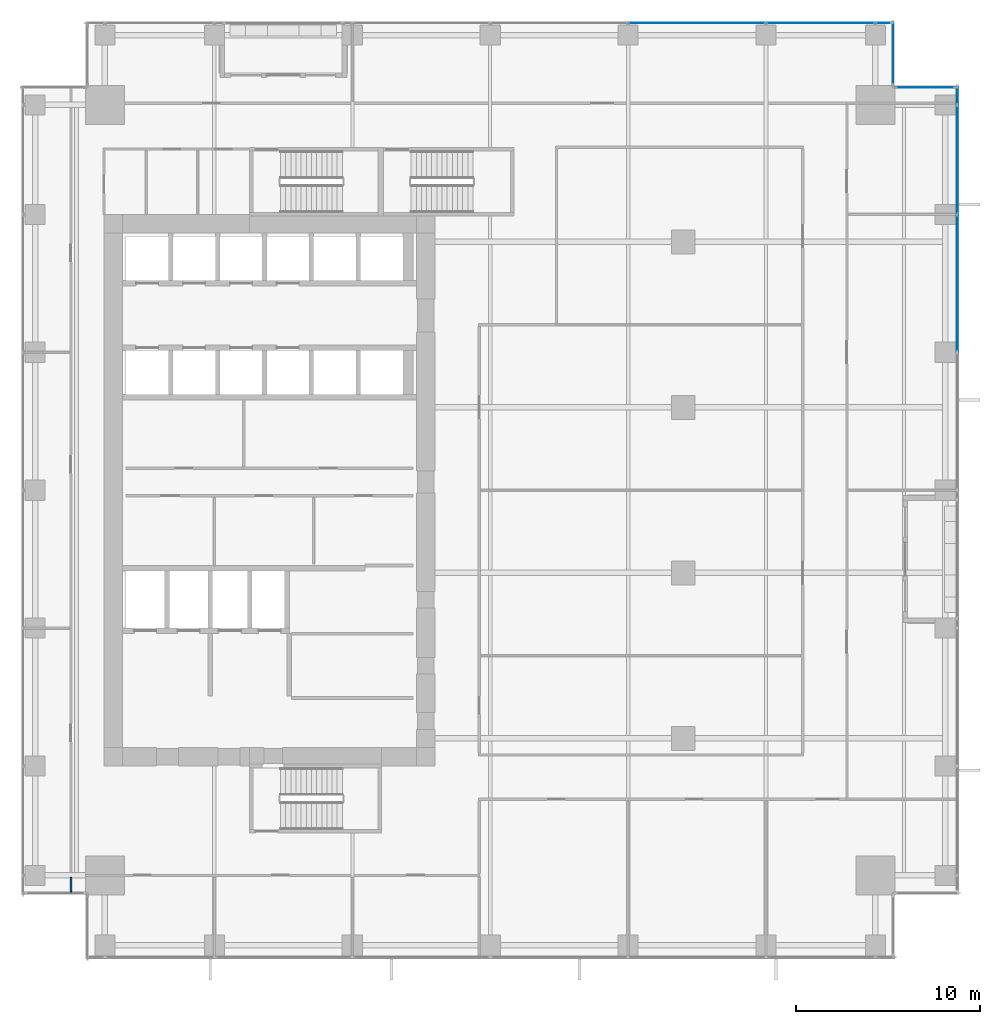
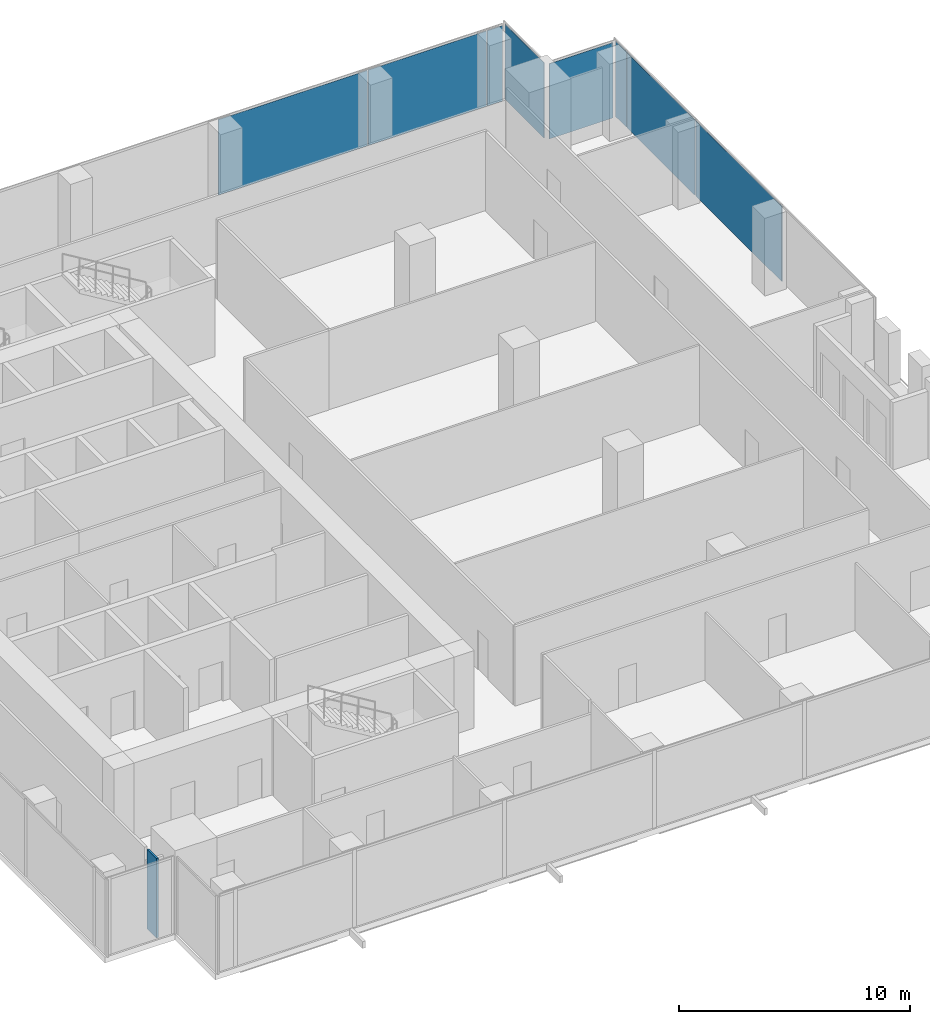
# One storey, part 27 of 34: 8 plates, 1 wall, 4 elements without a shape of their own.
"""IFC4 building model written with IfcOpenShell, lengths in metres."""

from ifc_helpers import new_model, si_unit, direction, frame, frame_2d, origin, origin_2d, place, context, subcontext, project, spatial, rectangle, extrude, source, transform, mapped, material, layer, layer_set, type_object, element, aggregate, save


model = new_model("IFC4")

# Units and contexts
model_context = context("Model", 3, precision=1e-05, world=origin(), true_north=direction((0.0, 1.0)))
body_context = subcontext(model_context, "Body", "Model", "MODEL_VIEW")
ifc_project = project(units=[si_unit("LENGTHUNIT", "METRE"), si_unit("AREAUNIT", "SQUARE_METRE"), si_unit("VOLUMEUNIT", "CUBIC_METRE"), si_unit("PLANEANGLEUNIT", "RADIAN"), si_unit("MASSUNIT", "GRAM", prefix="KILO")], contexts=[model_context])

# Site, building, storey
site_placement = place(None, origin())
site = spatial("IfcSite", under=ifc_project, at=site_placement, CompositionType="ELEMENT")
building_placement = place(site_placement, origin())
building = spatial("IfcBuilding", under=site, at=building_placement, Name="Khomas Fold Tower", CompositionType="ELEMENT")
storey_placement = place(building_placement, frame((0.0, 0.0, 105.89990234375)))
storey = spatial("IfcBuildingStorey", under=building, at=storey_placement, Name="L22", CompositionType="ELEMENT", Elevation=105.89990234375)

# Curtain wall, plate
ifc_material_1 = material(Name="Aluminium framed double glazing", Category="aluminium")
curtain_wall_type = type_object("IfcCurtainWallType", Name="SK-Unitised clear-glass wall, growing floors CW1", PredefinedType="NOTDEFINED", material=ifc_material_1)
curtain_wall_1_placement = place(storey_placement, origin())
curtain_wall_1 = element("IfcCurtainWall", 1, at=curtain_wall_1_placement, inside=storey, type_object=curtain_wall_type, Name="CW1 run L22 06-0", PredefinedType="NOTDEFINED")
ifc_material_2 = material(Name="Clear double glazed unit")
ifc_layer_1 = layer(ifc_material_2, 0.031982421875)
ifc_layer_set_1 = layer_set([ifc_layer_1], Name="Clear double glazed unit")
plate_type = type_object("IfcPlateType", Name="SK-Unitised clear-glass wall, growing floors glass panel CW1-P", PredefinedType="CURTAIN_PANEL", material=ifc_layer_set_1)
shared_shape_1 = source(origin(), body_context, "Body", "SweptSolid", [
    extrude(rectangle(XDim=0.760009765625, YDim=0.031982421875, at=origin_2d()), origin(), (0.0, 0.0, 1.0), 3.97998046875),
])
plate_1_placement = place(storey_placement, frame((48.360107421875, 52.39990234375, 0.0), z_axis=(0.0, 0.0, 1.0), x_axis=(-1.0, 0.0, 0.0)))
plate_1 = element("IfcPlate", 2, at=plate_1_placement, type_object=plate_type, Name="CW1 glass panel 1", PredefinedType="CURTAIN_PANEL", context=body_context, shape_type="MappedRepresentation", body=[
    mapped(shared_shape_1, transform((0.0, 0.0, 0.0))),
])

curtain_wall_2_placement = place(storey_placement, origin())
curtain_wall_2 = element("IfcCurtainWall", 3, at=curtain_wall_2_placement, inside=storey, type_object=curtain_wall_type, Name="CW1 run L22 03-1", PredefinedType="NOTDEFINED")
shared_shape_2 = source(origin(), body_context, "Body", "SweptSolid", [
    extrude(rectangle(XDim=5.889892578125, YDim=0.031982421875, at=origin_2d()), origin(), (0.0, 0.0, 1.0), 3.97998046875),
])
plate_2_placement = place(storey_placement, frame((52.39990234375, 44.97509765625, 0.0), z_axis=(0.0, 0.0, 1.0), x_axis=(0.0, 1.0, 0.0)))
plate_2 = element("IfcPlate", 4, at=plate_2_placement, type_object=plate_type, Name="CW1 glass panel 4", PredefinedType="CURTAIN_PANEL", context=body_context, shape_type="MappedRepresentation", body=[
    mapped(shared_shape_2, transform((0.0, 0.0, 0.0))),
])

# Plate
plate_3_placement = place(storey_placement, frame((44.97509765625, 52.39990234375, 0.0), z_axis=(0.0, 0.0, 1.0), x_axis=(-1.0, 0.0, 0.0)))
plate_3 = element("IfcPlate", 5, at=plate_3_placement, type_object=plate_type, Name="CW1 glass panel 2", PredefinedType="CURTAIN_PANEL", context=body_context, shape_type="MappedRepresentation", body=[
    mapped(shared_shape_2, transform((0.0, 0.0, 0.0))),
])

shared_shape_3 = source(origin(), body_context, "Body", "SweptSolid", [
    extrude(rectangle(XDim=7.43994140625, YDim=0.031982421875, at=origin_2d()), origin(), (0.0, 0.0, 1.0), 3.97998046875),
])
plate_4_placement = place(storey_placement, frame((52.39990234375, 38.25, 0.0), z_axis=(0.0, 0.0, 1.0), x_axis=(0.0, 1.0, 0.0)))
plate_4 = element("IfcPlate", 6, at=plate_4_placement, type_object=plate_type, Name="CW1 glass panel 3", PredefinedType="CURTAIN_PANEL", context=body_context, shape_type="MappedRepresentation", body=[
    mapped(shared_shape_3, transform((0.0, 0.0, 0.0))),
])

plate_5_placement = place(storey_placement, frame((38.25, 52.39990234375, 0.0), z_axis=(0.0, 0.0, 1.0), x_axis=(-1.0, 0.0, 0.0)))
plate_5 = element("IfcPlate", 7, at=plate_5_placement, type_object=plate_type, Name="CW1 glass panel 3", PredefinedType="CURTAIN_PANEL", context=body_context, shape_type="MappedRepresentation", body=[
    mapped(shared_shape_3, transform((0.0, 0.0, 0.0))),
])

aggregate(curtain_wall_1, [plate_1, plate_3, plate_5])

shared_shape_4 = source(origin(), body_context, "Body", "SweptSolid", [
    extrude(rectangle(XDim=0.9599609375, YDim=0.031982421875, at=origin_2d()), origin(), (0.0, 0.0, 1.0), 3.97998046875),
])
plate_6_placement = place(storey_placement, frame((52.39990234375, 48.4599609375, 0.0), z_axis=(0.0, 0.0, 1.0), x_axis=(0.0, 1.0, 0.0)))
plate_6 = element("IfcPlate", 8, at=plate_6_placement, type_object=plate_type, Name="CW1 glass panel 5", PredefinedType="CURTAIN_PANEL", context=body_context, shape_type="MappedRepresentation", body=[
    mapped(shared_shape_4, transform((0.0, 0.0, 0.0))),
])

aggregate(curtain_wall_2, [plate_4, plate_2, plate_6])

# Curtain wall, plate
curtain_wall_3_placement = place(storey_placement, origin())
curtain_wall_3 = element("IfcCurtainWall", 9, at=curtain_wall_3_placement, inside=storey, type_object=curtain_wall_type, Name="CW1 corner return L22 04", PredefinedType="NOTDEFINED")
shared_shape_5 = source(origin(), body_context, "Body", "SweptSolid", [
    extrude(rectangle(XDim=3.179931640625, YDim=0.031982421875, at=origin_2d()), origin(), (0.0, 0.0, 1.0), 3.97998046875),
])
plate_7_placement = place(storey_placement, frame((50.64990234375, 48.89990234375, 0.0), z_axis=(0.0, 0.0, 1.0), x_axis=(-1.0, 0.0, 0.0)))
plate_7 = element("IfcPlate", 10, at=plate_7_placement, type_object=plate_type, Name="CW1 glass panel 1", PredefinedType="CURTAIN_PANEL", context=body_context, shape_type="MappedRepresentation", body=[
    mapped(shared_shape_5, transform((0.0, 0.0, 0.0))),
])
aggregate(curtain_wall_3, [plate_7])

curtain_wall_4_placement = place(storey_placement, origin())
curtain_wall_4 = element("IfcCurtainWall", 11, at=curtain_wall_4_placement, inside=storey, type_object=curtain_wall_type, Name="CW1 corner return L22 05", PredefinedType="NOTDEFINED")
shared_shape_6 = source(origin(), body_context, "Body", "SweptSolid", [
    extrude(rectangle(XDim=3.3798828125, YDim=0.031982421875, at=origin_2d()), origin(), (0.0, 0.0, 1.0), 3.97998046875),
])
plate_8_placement = place(storey_placement, frame((48.89990234375, 50.75, 0.0), z_axis=(0.0, 0.0, 1.0), x_axis=(0.0, 1.0, 0.0)))
plate_8 = element("IfcPlate", 12, at=plate_8_placement, type_object=plate_type, Name="CW1 glass panel 1", PredefinedType="CURTAIN_PANEL", context=body_context, shape_type="MappedRepresentation", body=[
    mapped(shared_shape_6, transform((0.0, 0.0, 0.0))),
])
aggregate(curtain_wall_4, [plate_8])

# Wall
ifc_material_3 = material(Name="Plasterboard partition")
ifc_layer_2 = layer(ifc_material_3, 0.10009765625)
ifc_layer_set_2 = layer_set([ifc_layer_2], Name="Plasterboard partition")
wall_type = type_object("IfcWallType", Name="Partition PW1 100", PredefinedType="PARTITIONING", material=ifc_layer_set_2)
shared_shape_7 = source(origin(), body_context, "Body", "SweptSolid", [
    extrude(rectangle(XDim=0.800048828125, YDim=0.10009765625, at=frame_2d((0.39990234375, 0.0))), origin(), (0.0, 0.0, 1.0), 4.2001953125),
])
wall_placement = place(storey_placement, frame((4.199951171875, 5.14990234375, 0.0), z_axis=(0.0, 0.0, 1.0), x_axis=(0.0, 1.0, 0.0)))
element("IfcWall", 13, at=wall_placement, inside=storey, type_object=wall_type, Name="Partition", PredefinedType="PARTITIONING", context=body_context, shape_type="MappedRepresentation", body=[
    mapped(shared_shape_7, transform((0.0, 0.0, 0.0))),
])

save(model, "model.ifc")
